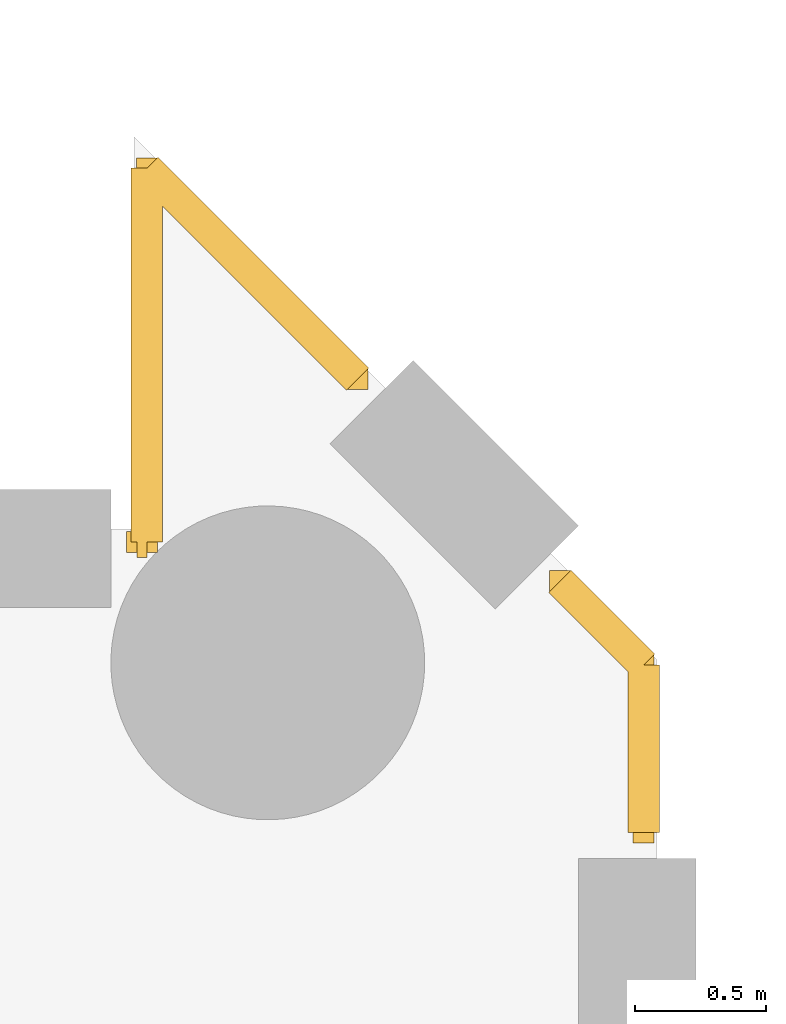
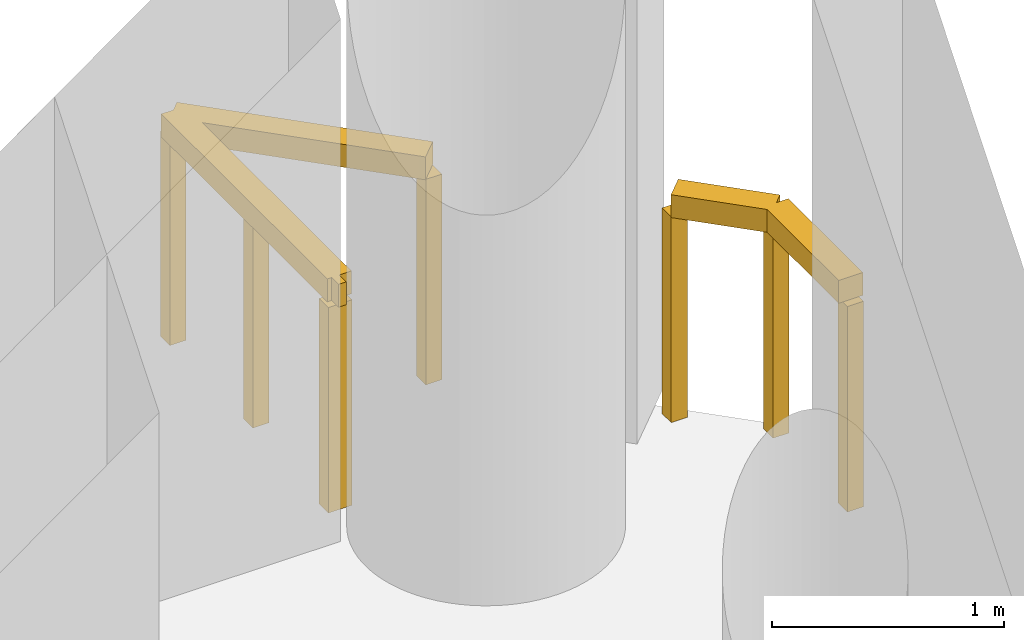
# One storey, part 8 of 8: 2 railings.
"""IFC4 building model written with IfcOpenShell, lengths in metres."""

import ifcopenshell
import ifcopenshell.guid

model = None  # the IFC model being written
_history = None  # IfcOwnerHistory: only IFC2X3 demands one
_inside = {}  # id of a spatial element -> (the spatial element, [elements in it])
_under = {}  # id of a project, library or spatial element -> (it, [spatial elements below it])
_declared = {}  # id of a project -> (the project, [libraries it declares])
_typed = {}  # id of a type object -> (the type object, [elements of that type])
_made_of = {}  # id of a material, layer set ... -> (it, [elements and type objects made of it])


def new_model(schema):
    """Start an empty IFC model of exactly this schema.

    Asked for "IFC4X3", IfcOpenShell would pick the latest addendum, in which some entities
    have other attributes; the version numbers below select the first issue.
    IFC2X3 requires an IfcOwnerHistory on every rooted entity: one is made here for all.
    """
    global model, _history
    if schema == "IFC4X3":
        model = ifcopenshell.file(schema_version=(4, 3, 0, 0))
    else:
        model = ifcopenshell.file(schema=schema)
    _inside.clear()
    _under.clear()
    _declared.clear()
    _typed.clear()
    _made_of.clear()
    _history = None
    if model.schema == "IFC2X3":
        org = make("IfcOrganization", Name="unknown")
        user = make(
            "IfcPersonAndOrganization",
            ThePerson=make("IfcPerson", FamilyName="unknown"),
            TheOrganization=org,
        )
        app = make(
            "IfcApplication",
            ApplicationDeveloper=org,
            Version="unknown",
            ApplicationFullName="unknown",
            ApplicationIdentifier="unknown",
        )
        _history = make(
            "IfcOwnerHistory",
            OwningUser=user,
            OwningApplication=app,
            ChangeAction="ADDED",
            CreationDate=0,
        )
    return model


def make(cls, **values):
    """One entity of the class cls with the attributes given. An attribute that is None is left unset."""
    return model.create_entity(
        cls, **{name: value for name, value in values.items() if value is not None}
    )


def rooted(cls, **values):
    """An entity with a GlobalId (a new one), such as an element, a storey or a relation."""
    return make(cls, GlobalId=ifcopenshell.guid.new(), OwnerHistory=_history, **values)


def si_unit(unit_type, name, prefix=None):
    """IfcSIUnit, for example si_unit("LENGTHUNIT", "METRE", prefix="MILLI")."""
    return make("IfcSIUnit", UnitType=unit_type, Prefix=prefix, Name=name)


def assignment(units):
    """IfcUnitAssignment: the units of a project."""
    return None if units is None else make("IfcUnitAssignment", Units=units)


def point(xyz):
    """IfcCartesianPoint."""
    return None if xyz is None else make("IfcCartesianPoint", Coordinates=xyz)


def direction(xyz):
    """IfcDirection."""
    return None if xyz is None else make("IfcDirection", DirectionRatios=xyz)


def frame(location, z_axis=None, x_axis=None):
    """IfcAxis2Placement3D, a coordinate frame: its origin and axes. An axis left out is left unset."""
    return make(
        "IfcAxis2Placement3D",
        Location=point(location),
        Axis=direction(z_axis),
        RefDirection=direction(x_axis),
    )


def frame_2d(location, x_axis=None):
    """IfcAxis2Placement2D, a coordinate frame in the plane: its origin and x axis."""
    return make(
        "IfcAxis2Placement2D", Location=point(location), RefDirection=direction(x_axis)
    )


def origin():
    """The frame at (0, 0, 0) with its axes left unset."""
    return frame((0.0, 0.0, 0.0))


def origin_2d():
    """The frame at (0, 0) in the plane with its x axis left unset."""
    return frame_2d((0.0, 0.0))


def place(relative_to, where):
    """IfcLocalPlacement: puts the frame where relative to a parent placement (None: the world)."""
    return make(
        "IfcLocalPlacement", PlacementRelTo=relative_to, RelativePlacement=where
    )


def context(
    kind, dimensions, precision=None, world=None, true_north=None, identifier=None
):
    """IfcGeometricRepresentationContext, for example the 3D "Model" context."""
    return make(
        "IfcGeometricRepresentationContext",
        ContextIdentifier=identifier,
        ContextType=kind,
        CoordinateSpaceDimension=dimensions,
        Precision=precision,
        WorldCoordinateSystem=world,
        TrueNorth=true_north,
    )


def subcontext(parent, identifier, kind, view, scale=None):
    """IfcGeometricRepresentationSubContext, for example "Body" below "Model"."""
    return make(
        "IfcGeometricRepresentationSubContext",
        ContextIdentifier=identifier,
        ContextType=kind,
        ParentContext=parent,
        TargetScale=scale,
        TargetView=view,
    )


def project(units=None, contexts=None):
    """IfcProject with its units and contexts."""
    return rooted(
        "IfcProject",
        Name="project",
        RepresentationContexts=contexts,
        UnitsInContext=assignment(units),
    )


def spatial(cls, under=None, at=None, **own):
    """A site, building, storey or space (cls), placed at a placement, below another one or the project."""
    s = rooted(cls, ObjectPlacement=at, **own)
    if under is not None:
        _under.setdefault(under.id(), (under, []))[1].append(s)
    return s


def profile(cls, at=None, kind="AREA", **sizes):
    """A parametric profile (cls). Its sizes go by their IFC names, for example OverallWidth=200.0."""
    return make(cls, ProfileType=kind, Position=at, **sizes)


def rectangle(**sizes):
    """IfcRectangleProfileDef."""
    return profile("IfcRectangleProfileDef", **sizes)


def extrude(swept, where, along, depth):
    """IfcExtrudedAreaSolid: the profile swept, set in the frame where, extruded along a direction by depth."""
    return make(
        "IfcExtrudedAreaSolid",
        SweptArea=swept,
        Position=where,
        ExtrudedDirection=direction(along),
        Depth=depth,
    )


def shape(context_of_items, identifier, shape_type, items):
    """IfcShapeRepresentation: the items that make up one representation, for example the "Body"."""
    return make(
        "IfcShapeRepresentation",
        ContextOfItems=context_of_items,
        RepresentationIdentifier=identifier,
        RepresentationType=shape_type,
        Items=items,
    )


def material(Name=None, Category=None):
    """IfcMaterial."""
    return make("IfcMaterial", Name=Name, Category=Category)


def made_of(thing, what):
    """Note that an element or type object is made of a material, layer set ...; save() writes the relation."""
    if what is not None:
        _made_of.setdefault(what.id(), (what, []))[1].append(thing)
    return thing


def type_object(cls, material=None, **own):
    """A type object (cls), such as IfcWallType, which elements share."""
    return made_of(rooted(cls, **own), material)


def element(
    cls,
    number,
    at=None,
    inside=None,
    cuts=None,
    type_object=None,
    material=None,
    context=None,
    identifier="Body",
    shape_type=None,
    held_by="IfcProductDefinitionShape",
    body=None,
    shapes=None,
    **own,
):
    """One element of the class cls, such as IfcWall. Its Tag is "e" and its number.

    at: its placement. inside: the storey or other place that contains it. cuts: it is an
    opening in that element (IfcRelVoidsElement). A single representation is given by context,
    identifier, shape_type and body (its items); several are given by shapes. held_by: the class
    of the entity that holds the representations. save() writes the other relations.
    """
    e = rooted(cls, Tag="e%d" % number, ObjectPlacement=at, **own)
    if body is not None:
        shapes = [shape(context, identifier, shape_type, body)]
    if shapes is not None:
        e.Representation = make(held_by, Representations=shapes)
    if inside is not None:
        _inside.setdefault(inside.id(), (inside, []))[1].append(e)
    if cuts is not None:
        rooted(
            "IfcRelVoidsElement", RelatingBuildingElement=cuts, RelatedOpeningElement=e
        )
    if type_object is not None:
        _typed.setdefault(type_object.id(), (type_object, []))[1].append(e)
    return made_of(e, material)


def aggregate(whole, parts):
    """IfcRelAggregates: a whole, such as a stair, and the parts it consists of."""
    return rooted("IfcRelAggregates", RelatingObject=whole, RelatedObjects=parts)


def save(model, path):
    """Write the relations noted so far, then the file.

    IfcRelAggregates (storeys below a building ...), IfcRelContainedInSpatialStructure (elements
    in a storey), IfcRelDefinesByType, IfcRelAssociatesMaterial and IfcRelDeclares: one each for
    every whole, place, type object, material and project.
    """
    for whole, parts in _under.values():
        aggregate(whole, parts)
    for where, things in _inside.values():
        rooted(
            "IfcRelContainedInSpatialStructure",
            RelatedElements=things,
            RelatingStructure=where,
        )
    for kind, things in _typed.values():
        rooted("IfcRelDefinesByType", RelatedObjects=things, RelatingType=kind)
    for what, things in _made_of.values():
        rooted("IfcRelAssociatesMaterial", RelatedObjects=things, RelatingMaterial=what)
    for by, libraries in _declared.values():
        rooted("IfcRelDeclares", RelatingContext=by, RelatedDefinitions=libraries)
    model.write(path)


model = new_model("IFC4")

# Units and contexts
model_context = context("Model", 3, precision=1e-05, world=origin(), true_north=direction((0.0, 1.0)))
body_context = subcontext(model_context, "Body", "Model", "MODEL_VIEW")
ifc_project = project(units=[si_unit("LENGTHUNIT", "METRE"), si_unit("AREAUNIT", "SQUARE_METRE"), si_unit("VOLUMEUNIT", "CUBIC_METRE"), si_unit("PLANEANGLEUNIT", "RADIAN"), si_unit("MASSUNIT", "GRAM", prefix="KILO")], contexts=[model_context])

# Site, building, storey
site_placement = place(None, origin())
site = spatial("IfcSite", under=ifc_project, at=site_placement, CompositionType="ELEMENT")
building_placement = place(site_placement, origin())
building = spatial("IfcBuilding", under=site, at=building_placement, Name="Cypress Arch Tower", CompositionType="ELEMENT")
storey_placement = place(building_placement, frame((0.0, 0.0, 339.0)))
storey = spatial("IfcBuildingStorey", under=building, at=storey_placement, Name="L77", CompositionType="ELEMENT", Elevation=339.0)

# Railings
ifc_material = material(Name="Stainless steel posts and handrail, laminated glass infill", Category="steel")
railing_type = type_object("IfcRailingType", Name="Deck guard GR1200D", PredefinedType="GUARDRAIL", material=ifc_material)
railing_1_placement = place(storey_placement, frame((8.01220703125, 12.449951171875, 0.0)))
element("IfcRailing", 1, at=railing_1_placement, inside=storey, type_object=railing_type, Name="Crown edge guard L77 7", PredefinedType="GUARDRAIL", context=body_context, shape_type="SweptSolid", body=[
    extrude(rectangle(XDim=0.1201171875, YDim=0.1201171875, at=origin_2d()), frame((0.0, 0.0, 1.139892578125), z_axis=(1.0, 0.0, 0.0), x_axis=(0.0, 1.0, 0.0)), (0.0, 0.0, 1.0), 0.037841796875),
    extrude(rectangle(XDim=0.1201171875, YDim=0.1201171875, at=origin_2d()), frame((0.037841796875, 0.0, 1.139892578125), z_axis=(0.0, 1.0, 0.0), x_axis=(-1.0, 0.0, 0.0)), (0.0, 0.0, 1.0), 1.429443359375),
    extrude(rectangle(XDim=0.1201171875, YDim=0.1201171875, at=origin_2d()), frame((0.037841796875, 1.429443359375, 1.139892578125), z_axis=(0.707106781187, -0.707106781187, 0.0), x_axis=(0.707106781187, 0.707106781187, 0.0)), (0.0, 0.0, 1.0), 1.14013671875),
    extrude(rectangle(XDim=0.080078125, YDim=0.080078125, at=origin_2d()), origin(), (0.0, 0.0, 1.0), 1.079833984375),
    extrude(rectangle(XDim=0.080078125, YDim=0.080078125, at=origin_2d()), frame((0.037841796875, 0.0, 0.0)), (0.0, 0.0, 1.0), 1.079833984375),
    extrude(rectangle(XDim=0.080078125, YDim=0.080078125, at=origin_2d()), frame((0.037841796875, 0.71484375, 0.0)), (0.0, 0.0, 1.0), 1.079833984375),
    extrude(rectangle(XDim=0.080078125, YDim=0.080078125, at=origin_2d()), frame((0.037841796875, 1.429443359375, 0.0)), (0.0, 0.0, 1.0), 1.079833984375),
    extrude(rectangle(XDim=0.080078125, YDim=0.080078125, at=origin_2d()), frame((0.843994140625, 0.623291015625, 0.0)), (0.0, 0.0, 1.0), 1.079833984375),
])
railing_2_placement = place(storey_placement, frame((9.62939453125, 12.300048828125, 0.0)))
element("IfcRailing", 2, at=railing_2_placement, inside=storey, type_object=railing_type, Name="Crown edge guard L77 9", PredefinedType="GUARDRAIL", context=body_context, shape_type="SweptSolid", body=[
    extrude(rectangle(XDim=0.1201171875, YDim=0.1201171875, at=origin_2d()), frame((0.0, 0.0, 1.139892578125), z_axis=(0.706837561044, -0.707375898867, 0.0), x_axis=(0.707375898867, 0.706837561044, 0.0)), (0.0, 0.0, 1.0), 0.45361328125),
    extrude(rectangle(XDim=0.1201171875, YDim=0.1201171875, at=origin_2d()), frame((0.320556640625, -0.32080078125, 1.139892578125), z_axis=(0.0, -1.0, 0.0), x_axis=(1.0, 0.0, 0.0)), (0.0, 0.0, 1.0), 0.639892578125),
    extrude(rectangle(XDim=0.080078125, YDim=0.080078125, at=origin_2d()), origin(), (0.0, 0.0, 1.0), 1.079833984375),
    extrude(rectangle(XDim=0.080078125, YDim=0.080078125, at=origin_2d()), frame((0.320556640625, -0.32080078125, 0.0)), (0.0, 0.0, 1.0), 1.079833984375),
    extrude(rectangle(XDim=0.080078125, YDim=0.080078125, at=origin_2d()), frame((0.320556640625, -0.960693359375, 0.0)), (0.0, 0.0, 1.0), 1.079833984375),
])

save(model, "model.ifc")
